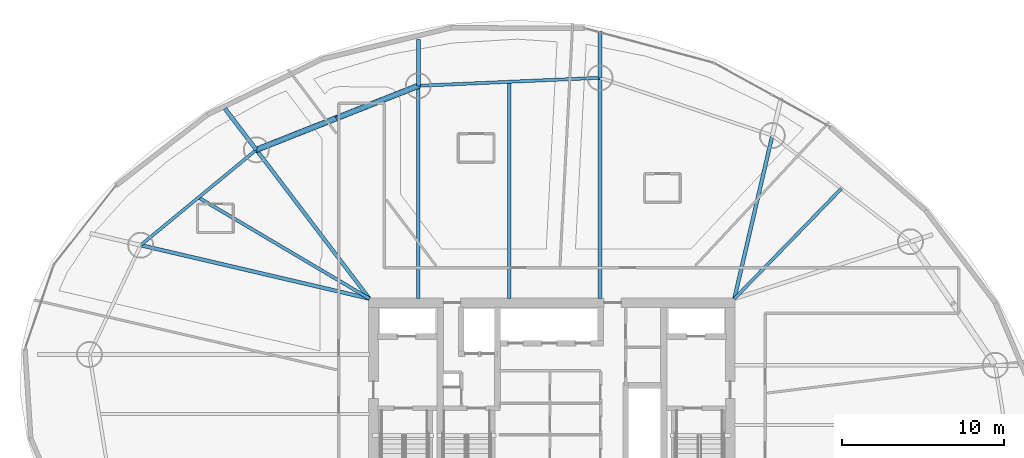
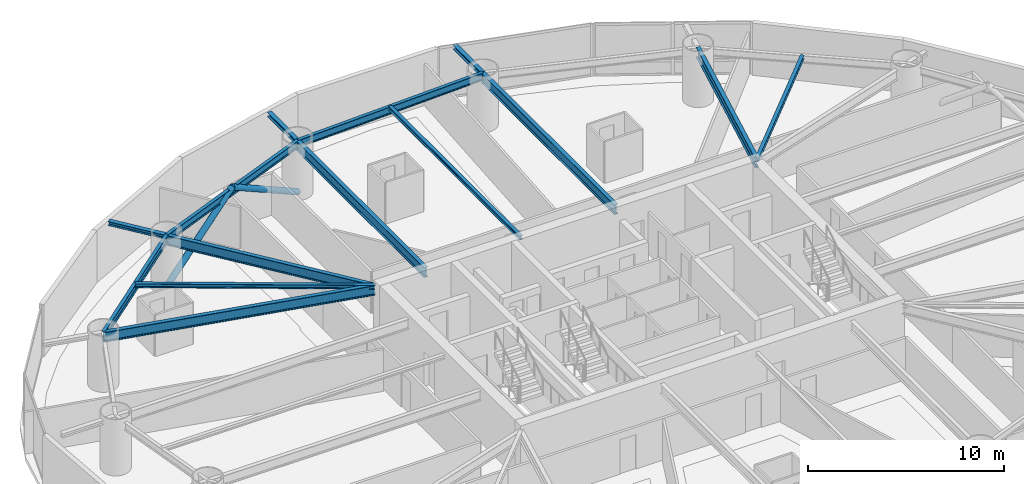
# One storey, part 12 of 23: 14 beams, 2 members.
"""IFC4 building model written with IfcOpenShell, lengths in metres."""

from ifc_helpers import new_model, si_unit, direction, frame, origin, origin_2d, place, context, subcontext, project, spatial, hollow_circle, i_section, extrude, material, material_profile, profile_set, type_object, element, save


model = new_model("IFC4")

# Units and contexts
model_context = context("Model", 3, precision=1e-05, world=origin(), true_north=direction((0.0, 1.0)))
body_context = subcontext(model_context, "Body", "Model", "MODEL_VIEW")
ifc_project = project(units=[si_unit("LENGTHUNIT", "METRE"), si_unit("AREAUNIT", "SQUARE_METRE"), si_unit("VOLUMEUNIT", "CUBIC_METRE"), si_unit("PLANEANGLEUNIT", "RADIAN"), si_unit("MASSUNIT", "GRAM", prefix="KILO")], contexts=[model_context])

# Site, building, storey
site_placement = place(None, origin())
site = spatial("IfcSite", under=ifc_project, at=site_placement, CompositionType="ELEMENT")
building_placement = place(site_placement, origin())
building = spatial("IfcBuilding", under=site, at=building_placement, Name="Bramvorn Convention Spire", CompositionType="ELEMENT")
storey_placement = place(building_placement, frame((0.0, 0.0, 65.89990234375)))
storey = spatial("IfcBuildingStorey", under=building, at=storey_placement, Name="L14", CompositionType="ELEMENT", Elevation=65.89990234375)

# Beams
ifc_material = material(Name="Steel CSA G40.21 Grade 350 (350W)", Category="steel")
ifc_material_profile_1 = material_profile(ifc_material, i_section(OverallWidth=0.201904296875, OverallDepth=0.2470703125, WebThickness=0.00732421875, FlangeThickness=0.010986328125, FilletRadius=0.011962890625, at=origin_2d()))
ifc_profile_set_1 = profile_set([ifc_material_profile_1], Name="Steel CSA G40.21 Grade 350 (350W) - W250X49")
beam_type_1 = type_object("IfcBeamType", Name="BM-W250X49", PredefinedType="JOIST", material=ifc_profile_set_1)
beam_1_placement = place(storey_placement, frame((49.25, 33.449951171875, 3.126708984375), z_axis=(0.697170484005, 0.716905374671, 0.0), x_axis=(-0.716905374671, 0.697170484005, 0.0)))
element("IfcBeam", 1, at=beam_1_placement, inside=storey, type_object=beam_type_1, Name="L14 composite floor joist 03", PredefinedType="JOIST", context=body_context, shape_type="SweptSolid", body=[
    extrude(i_section(OverallWidth=0.201904296875, OverallDepth=0.2470703125, WebThickness=0.00732421875, FlangeThickness=0.010986328125, FilletRadius=0.011962890625, at=origin_2d()), origin(), (0.0, 0.0, 1.0), 9.4638671875),
])
beam_2_placement = place(storey_placement, frame((35.361572265625, 33.449951171875, 3.126708984375), z_axis=(0.0, 1.0, 0.0), x_axis=(-1.0, 0.0, 0.0)))
element("IfcBeam", 2, at=beam_2_placement, inside=storey, type_object=beam_type_1, Name="L14 composite floor joist 05", PredefinedType="JOIST", context=body_context, shape_type="SweptSolid", body=[
    extrude(i_section(OverallWidth=0.201904296875, OverallDepth=0.2470703125, WebThickness=0.00732421875, FlangeThickness=0.010986328125, FilletRadius=0.011962890625, at=origin_2d()), origin(), (0.0, 0.0, 1.0), 13.372802734375),
])
beam_3_placement = place(storey_placement, frame((26.75, 33.449951171875, 3.126708984375), z_axis=(-0.860664556648, 0.509172388223, 0.0), x_axis=(-0.509172388223, -0.860664556648, 0.0)))
element("IfcBeam", 3, at=beam_3_placement, inside=storey, type_object=beam_type_1, Name="L14 composite floor joist 07", PredefinedType="JOIST", context=body_context, shape_type="SweptSolid", body=[
    extrude(i_section(OverallWidth=0.201904296875, OverallDepth=0.2470703125, WebThickness=0.00732421875, FlangeThickness=0.010986328125, FilletRadius=0.011962890625, at=origin_2d()), origin(), (0.0, 0.0, 1.0), 12.25048828125),
])
ifc_material_profile_2 = material_profile(ifc_material, i_section(OverallWidth=0.25390625, OverallDepth=0.2529296875, WebThickness=0.008544921875, FlangeThickness=0.01416015625, FilletRadius=0.011962890625, at=origin_2d()))
ifc_profile_set_2 = profile_set([ifc_material_profile_2], Name="Steel CSA G40.21 Grade 350 (350W) - W250X73")
beam_type_2 = type_object("IfcBeamType", Name="BM-W250X73", PredefinedType="BEAM", material=ifc_profile_set_2)
beam_4_placement = place(storey_placement, frame((40.9609375, 47.06884765625, 3.12353515625), z_axis=(0.0, 1.0, 0.0), x_axis=(-1.0, 0.0, 0.0)))
element("IfcBeam", 4, at=beam_4_placement, inside=storey, type_object=beam_type_2, Name="L14 slab-edge cantilever tip beam MC05", PredefinedType="BEAM", context=body_context, shape_type="SweptSolid", body=[
    extrude(i_section(OverallWidth=0.25390625, OverallDepth=0.2529296875, WebThickness=0.008544921875, FlangeThickness=0.01416015625, FilletRadius=0.011962890625, at=origin_2d()), origin(), (0.0, 0.0, 1.0), 2.87255859375),
])
beam_5_placement = place(storey_placement, frame((29.76220703125, 46.57666015625, 3.12353515625), z_axis=(0.0, 1.0, 0.0), x_axis=(-1.0, 0.0, 0.0)))
element("IfcBeam", 5, at=beam_5_placement, inside=storey, type_object=beam_type_2, Name="L14 slab-edge cantilever tip beam MC06", PredefinedType="BEAM", context=body_context, shape_type="SweptSolid", body=[
    extrude(i_section(OverallWidth=0.25390625, OverallDepth=0.2529296875, WebThickness=0.008544921875, FlangeThickness=0.01416015625, FilletRadius=0.011962890625, at=origin_2d()), origin(), (0.0, 0.0, 1.0), 2.868896484375),
])
beam_6_placement = place(storey_placement, frame((19.772216796875, 42.628662109375, 3.12353515625), z_axis=(-0.605150969009, 0.796110736461, 0.0), x_axis=(-0.796110736461, -0.605150969009, 0.0)))
element("IfcBeam", 6, at=beam_6_placement, inside=storey, type_object=beam_type_2, Name="L14 slab-edge cantilever tip beam MC07", PredefinedType="BEAM", context=body_context, shape_type="SweptSolid", body=[
    extrude(i_section(OverallWidth=0.25390625, OverallDepth=0.2529296875, WebThickness=0.008544921875, FlangeThickness=0.01416015625, FilletRadius=0.011962890625, at=origin_2d()), origin(), (0.0, 0.0, 1.0), 3.199951171875),
])
ifc_material_profile_3 = material_profile(ifc_material, i_section(OverallWidth=0.194091796875, OverallDepth=0.468994140625, WebThickness=0.0126953125, FlangeThickness=0.0205078125, FilletRadius=0.01806640625, at=origin_2d()))
ifc_profile_set_3 = profile_set([ifc_material_profile_3], Name="Steel CSA G40.21 Grade 350 (350W) - W460X106")
beam_type_3 = type_object("IfcBeamType", Name="BM-W460X106", PredefinedType="SPANDREL", material=ifc_profile_set_3)
beam_7_placement = place(storey_placement, frame((40.9609375, 47.06884765625, 3.015625), z_axis=(-0.999035582762, -0.043907907889, 0.0), x_axis=(0.043907907889, -0.999035582762, 0.0)))
element("IfcBeam", 7, at=beam_7_placement, inside=storey, type_object=beam_type_3, Name="L14 mega-column ring beam 05", PredefinedType="SPANDREL", context=body_context, shape_type="SweptSolid", body=[
    extrude(i_section(OverallWidth=0.194091796875, OverallDepth=0.468994140625, WebThickness=0.0126953125, FlangeThickness=0.0205078125, FilletRadius=0.01806640625, at=origin_2d()), origin(), (0.0, 0.0, 1.0), 11.20947265625),
])
beam_8_placement = place(storey_placement, frame((29.76220703125, 46.57666015625, 3.015625), z_axis=(-0.93000950609, -0.367535465749, 0.0), x_axis=(0.367535465749, -0.93000950609, 0.0)))
element("IfcBeam", 8, at=beam_8_placement, inside=storey, type_object=beam_type_3, Name="L14 mega-column ring beam 06", PredefinedType="SPANDREL", context=body_context, shape_type="SweptSolid", body=[
    extrude(i_section(OverallWidth=0.194091796875, OverallDepth=0.468994140625, WebThickness=0.0126953125, FlangeThickness=0.0205078125, FilletRadius=0.01806640625, at=origin_2d()), origin(), (0.0, 0.0, 1.0), 10.74169921875),
])
beam_9_placement = place(storey_placement, frame((19.772216796875, 42.628662109375, 3.015625), z_axis=(-0.771417680101, -0.636329130896, 0.0), x_axis=(0.636329130896, -0.771417680101, 0.0)))
element("IfcBeam", 9, at=beam_9_placement, inside=storey, type_object=beam_type_3, Name="L14 mega-column ring beam 07", PredefinedType="SPANDREL", context=body_context, shape_type="SweptSolid", body=[
    extrude(i_section(OverallWidth=0.194091796875, OverallDepth=0.468994140625, WebThickness=0.0126953125, FlangeThickness=0.0205078125, FilletRadius=0.01806640625, at=origin_2d()), origin(), (0.0, 0.0, 1.0), 9.244140625),
])
ifc_material_profile_4 = material_profile(ifc_material, i_section(OverallWidth=0.22998046875, OverallDepth=0.616943359375, WebThickness=0.01318359375, FlangeThickness=0.022216796875, FilletRadius=0.02001953125, at=origin_2d()))
ifc_profile_set_4 = profile_set([ifc_material_profile_4], Name="Steel CSA G40.21 Grade 350 (350W) - W610X140")
beam_type_4 = type_object("IfcBeamType", Name="BM-W610X140", PredefinedType="BEAM", material=ifc_profile_set_4)
beam_10_placement = place(storey_placement, frame((49.25, 33.449951171875, 2.941650390625), z_axis=(0.226606328522, 0.973986433106, 0.0), x_axis=(-0.973986433106, 0.226606328522, 0.0)))
element("IfcBeam", 10, at=beam_10_placement, inside=storey, type_object=beam_type_4, Name="L14 radial floor girder MC04", PredefinedType="BEAM", context=body_context, shape_type="SweptSolid", body=[
    extrude(i_section(OverallWidth=0.22998046875, OverallDepth=0.616943359375, WebThickness=0.01318359375, FlangeThickness=0.022216796875, FilletRadius=0.02001953125, at=origin_2d()), origin(), (0.0, 0.0, 1.0), 10.32763671875),
])
beam_11_placement = place(storey_placement, frame((40.9609375, 33.449951171875, 2.941650390625), z_axis=(0.0, 1.0, 0.0), x_axis=(-1.0, 0.0, 0.0)))
element("IfcBeam", 11, at=beam_11_placement, inside=storey, type_object=beam_type_4, Name="L14 radial floor girder MC05", PredefinedType="BEAM", context=body_context, shape_type="SweptSolid", body=[
    extrude(i_section(OverallWidth=0.22998046875, OverallDepth=0.616943359375, WebThickness=0.01318359375, FlangeThickness=0.022216796875, FilletRadius=0.02001953125, at=origin_2d()), origin(), (0.0, 0.0, 1.0), 13.618896484375),
])
beam_12_placement = place(storey_placement, frame((29.76220703125, 33.449951171875, 2.941650390625), z_axis=(0.0, 1.0, 0.0), x_axis=(-1.0, 0.0, 0.0)))
element("IfcBeam", 12, at=beam_12_placement, inside=storey, type_object=beam_type_4, Name="L14 radial floor girder MC06", PredefinedType="BEAM", context=body_context, shape_type="SweptSolid", body=[
    extrude(i_section(OverallWidth=0.22998046875, OverallDepth=0.616943359375, WebThickness=0.01318359375, FlangeThickness=0.022216796875, FilletRadius=0.02001953125, at=origin_2d()), origin(), (0.0, 0.0, 1.0), 13.126708984375),
])
beam_13_placement = place(storey_placement, frame((26.75, 33.449951171875, 2.941650390625), z_axis=(-0.605191175112, 0.796080172826, 0.0), x_axis=(-0.796080172826, -0.605191175112, 0.0)))
element("IfcBeam", 13, at=beam_13_placement, inside=storey, type_object=beam_type_4, Name="L14 radial floor girder MC07", PredefinedType="BEAM", context=body_context, shape_type="SweptSolid", body=[
    extrude(i_section(OverallWidth=0.22998046875, OverallDepth=0.616943359375, WebThickness=0.01318359375, FlangeThickness=0.022216796875, FilletRadius=0.02001953125, at=origin_2d()), origin(), (0.0, 0.0, 1.0), 11.52978515625),
])
beam_14_placement = place(storey_placement, frame((26.75, 33.449951171875, 2.941650390625), z_axis=(-0.973775294862, 0.227511923018, 0.0), x_axis=(-0.227511923018, -0.973775294862, 0.0)))
element("IfcBeam", 14, at=beam_14_placement, inside=storey, type_object=beam_type_4, Name="L14 radial floor girder MC08", PredefinedType="BEAM", context=body_context, shape_type="SweptSolid", body=[
    extrude(i_section(OverallWidth=0.22998046875, OverallDepth=0.616943359375, WebThickness=0.01318359375, FlangeThickness=0.022216796875, FilletRadius=0.02001953125, at=origin_2d()), origin(), (0.0, 0.0, 1.0), 14.48876953125),
])

# Members
ifc_material_profile_5 = material_profile(ifc_material, hollow_circle(Radius=0.177734375, WallThickness=0.015869140625, at=origin_2d()))
ifc_profile_set_5 = profile_set([ifc_material_profile_5], Name="Steel CSA G40.21 Grade 350 (350W) - CHS356X16")
member_type = type_object("IfcMemberType", Name="MBR-CHS356X16", PredefinedType="BRACE", material=ifc_profile_set_5)
member_1_placement = place(storey_placement, frame((29.76220703125, 46.57666015625, 0.0), z_axis=(-0.795674251791, -0.314435032295, 0.517719128005), x_axis=(0.367523576179, -0.930014204705, 0.0)))
element("IfcMember", 15, at=member_1_placement, inside=storey, type_object=member_type, Name="L14 perimeter Gothic lancet brace 6A", PredefinedType="BRACE", context=body_context, shape_type="SweptSolid", body=[
    extrude(hollow_circle(Radius=0.177734375, WallThickness=0.015869140625, at=origin_2d()), origin(), (0.0, 0.0, 1.0), 6.277587890625),
])
member_2_placement = place(storey_placement, frame((19.772216796875, 42.628662109375, 0.0), z_axis=(0.795678790301, 0.314460346939, 0.517696776954), x_axis=(-0.367547354558, 0.930004807599, 0.0)))
element("IfcMember", 16, at=member_2_placement, inside=storey, type_object=member_type, Name="L14 perimeter Gothic lancet brace 6B", PredefinedType="BRACE", context=body_context, shape_type="SweptSolid", body=[
    extrude(hollow_circle(Radius=0.177734375, WallThickness=0.015869140625, at=origin_2d()), origin(), (0.0, 0.0, 1.0), 6.27783203125),
])

save(model, "model.ifc")
